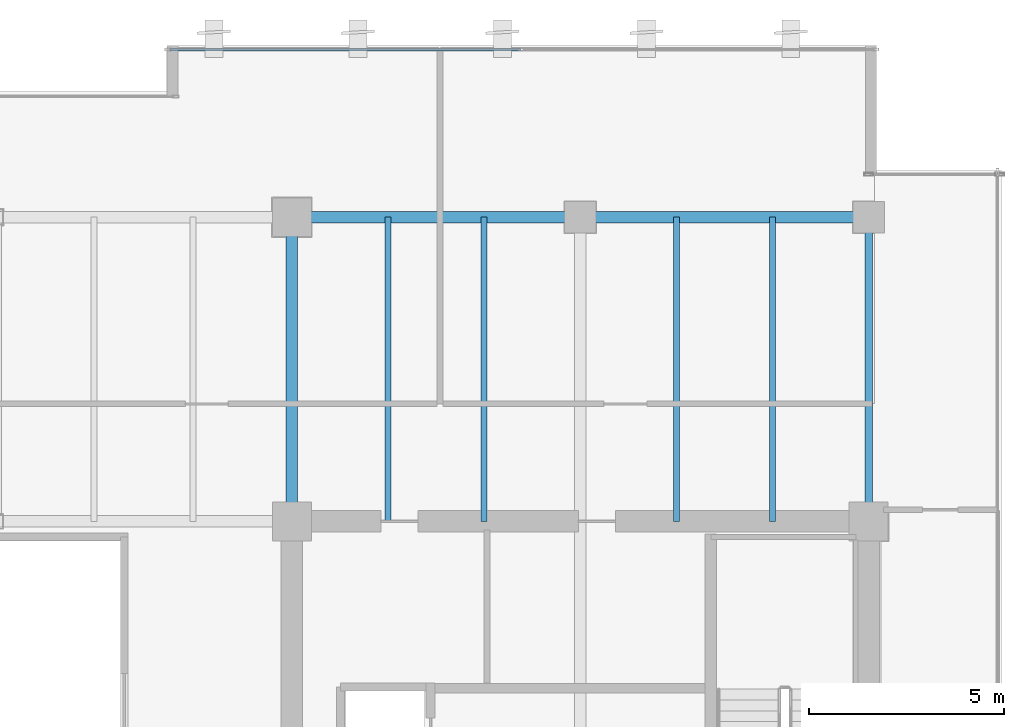
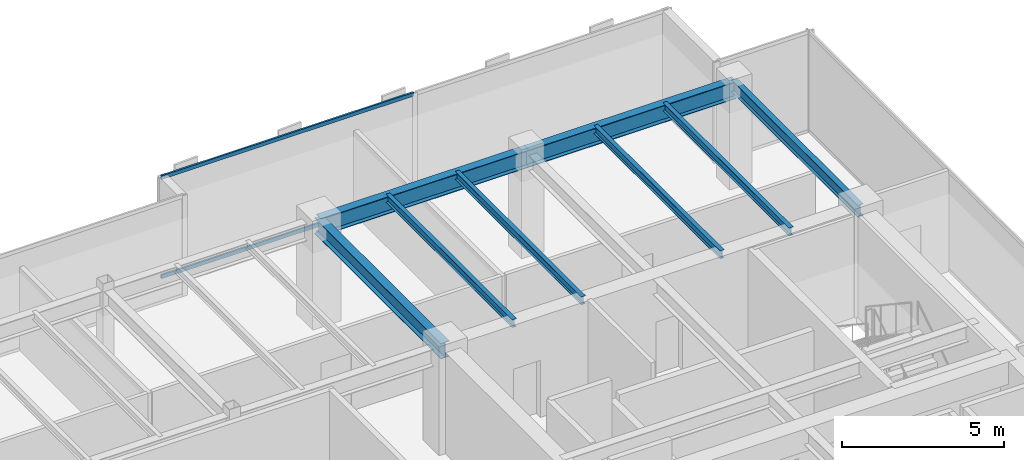
# One storey, part 20 of 35: 8 beams, 2 members, 1 element without a shape of its own.
"""IFC4 building model written with IfcOpenShell, lengths in metres."""

from ifc_helpers import new_model, si_unit, direction, frame, origin, origin_2d, place, context, subcontext, project, spatial, hollow_rectangle, i_section, extrude, source, transform, mapped, material, layer, layer_set, material_profile, profile_set, type_object, type_shapes, element, aggregate, save


model = new_model("IFC4")

# Units and contexts
model_context = context("Model", 3, precision=1e-05, world=origin(), true_north=direction((0.0, 1.0)))
body_context = subcontext(model_context, "Body", "Model", "MODEL_VIEW")
ifc_project = project(units=[si_unit("LENGTHUNIT", "METRE"), si_unit("AREAUNIT", "SQUARE_METRE"), si_unit("VOLUMEUNIT", "CUBIC_METRE"), si_unit("PLANEANGLEUNIT", "RADIAN"), si_unit("MASSUNIT", "GRAM", prefix="KILO")], contexts=[model_context])

# Site, building, storey
site_placement = place(None, origin())
site = spatial("IfcSite", under=ifc_project, at=site_placement, CompositionType="ELEMENT")
building_placement = place(site_placement, origin())
building = spatial("IfcBuilding", under=site, at=building_placement, Name="Haelvirn Gate Laboratories", CompositionType="ELEMENT")
storey_placement = place(building_placement, frame((0.0, 0.0, 201.39990234375)))
storey = spatial("IfcBuildingStorey", under=building, at=storey_placement, Name="L48", CompositionType="ELEMENT", Elevation=201.39990234375)

# Beams
ifc_material_1 = material(Name="Steel SM355", Category="steel")
ifc_material_profile_1 = material_profile(ifc_material_1, i_section(OverallWidth=0.14990234375, OverallDepth=0.300048828125, WebThickness=0.006591796875, FlangeThickness=0.009033203125, at=origin_2d()), Name="H-300x150x6.5x9")
ifc_profile_set_1 = profile_set([ifc_material_profile_1], Name="Steel SM355")
beam_type_1 = type_object("IfcBeamType", Name="BM-J-300", PredefinedType="JOIST", material=ifc_profile_set_1)
shared_shape_1 = source(origin(), body_context, "Body", "SweptSolid", [
    extrude(i_section(OverallWidth=0.14990234375, OverallDepth=0.300048828125, WebThickness=0.006591796875, FlangeThickness=0.009033203125, at=origin_2d()), origin(), (0.0, 0.0, 1.0), 7.800048828125),
])
type_shapes(beam_type_1, [shared_shape_1])
for number, where, z_axis, x_axis, name in (
    (1, (55.070068359375, 33.800048828125, 3.650146484375), (0.0, 1.0, 0.0), (-1.0, 0.0, 0.0), "L48 Composite Lab Joist North X55.07"),
    (2, (57.530029296875, 33.800048828125, 3.650146484375), (0.0, 1.0, 0.0), (-1.0, 0.0, 0.0), "L48 Composite Lab Joist North X57.53"),
    (3, (62.469970703125, 33.800048828125, 3.650146484375), (0.0, 1.0, 0.0), (-1.0, 0.0, 0.0), "L48 Composite Lab Joist North X62.47"),
    (4, (64.929931640625, 33.800048828125, 3.650146484375), (0.0, 1.0, 0.0), (-1.0, 0.0, 0.0), "L48 Composite Lab Joist North X64.93"),
):
    element("IfcBeam", number, at=place(storey_placement, frame(where, z_axis=z_axis, x_axis=x_axis)), inside=storey, type_object=beam_type_1, Name=name, PredefinedType="JOIST", context=body_context, shape_type="MappedRepresentation", body=[
        mapped(shared_shape_1, transform((0.0, 0.0, 0.0), scale=1.0)),
    ])
ifc_material_profile_2 = material_profile(ifc_material_1, i_section(OverallWidth=0.300048828125, OverallDepth=0.587890625, WebThickness=0.011962890625, FlangeThickness=0.02001953125, at=origin_2d()), Name="H-588x300x12x20")
ifc_profile_set_2 = profile_set([ifc_material_profile_2], Name="Steel SM355")
beam_type_2 = type_object("IfcBeamType", Name="BM-G-588", PredefinedType="BEAM", material=ifc_profile_set_2)
shared_shape_2 = source(origin(), body_context, "Body", "SweptSolid", [
    extrude(i_section(OverallWidth=0.300048828125, OverallDepth=0.587890625, WebThickness=0.011962890625, FlangeThickness=0.02001953125, at=origin_2d()), origin(), (0.0, 0.0, 1.0), 7.800048828125),
])
type_shapes(beam_type_2, [shared_shape_2])
beam_1_placement = place(storey_placement, frame((52.60009765625, 33.800048828125, 3.506103515625), z_axis=(0.0, 1.0, 0.0), x_axis=(-1.0, 0.0, 0.0)))
element("IfcBeam", 5, at=beam_1_placement, inside=storey, type_object=beam_type_2, Name="L48 Frame Girder X52.6 (33.8-41.6)", PredefinedType="BEAM", context=body_context, shape_type="MappedRepresentation", body=[
    mapped(shared_shape_2, transform((0.0, 0.0, 0.0), scale=1.0)),
])
ifc_material_profile_3 = material_profile(ifc_material_1, i_section(OverallWidth=0.300048828125, OverallDepth=0.64990234375, WebThickness=0.012939453125, FlangeThickness=0.02197265625, at=origin_2d()), Name="H-650x300x13x22")
ifc_profile_set_3 = profile_set([ifc_material_profile_3], Name="Steel SM355")
beam_type_3 = type_object("IfcBeamType", Name="BM-G-650", PredefinedType="BEAM", material=ifc_profile_set_3)
shared_shape_3 = source(origin(), body_context, "Body", "SweptSolid", [
    extrude(i_section(OverallWidth=0.300048828125, OverallDepth=0.64990234375, WebThickness=0.012939453125, FlangeThickness=0.02197265625, at=origin_2d()), origin(), (0.0, 0.0, 1.0), 7.39990234375),
])
type_shapes(beam_type_3, [shared_shape_3])
for number, where, z_axis, x_axis, name in (
    (6, (52.60009765625, 41.60009765625, 3.47509765625), (1.0, 0.0, 0.0), (0.0, 1.0, 0.0), "L48 Primary Girder Y41.6 (52.6-60.0)"),
    (7, (60.0, 41.60009765625, 3.47509765625), (1.0, 0.0, 0.0), (0.0, 1.0, 0.0), "L48 Primary Girder Y41.6 (60.0-67.4)"),
):
    element("IfcBeam", number, at=place(storey_placement, frame(where, z_axis=z_axis, x_axis=x_axis)), inside=storey, type_object=beam_type_3, Name=name, PredefinedType="BEAM", context=body_context, shape_type="MappedRepresentation", body=[
        mapped(shared_shape_3, transform((0.0, 0.0, 0.0), scale=1.0)),
    ])
ifc_material_profile_4 = material_profile(ifc_material_1, i_section(OverallWidth=0.199951171875, OverallDepth=0.449951171875, WebThickness=0.009033203125, FlangeThickness=0.013916015625, at=origin_2d()), Name="H-450x200x9x14")
ifc_profile_set_4 = profile_set([ifc_material_profile_4], Name="Steel SM355")
beam_type_4 = type_object("IfcBeamType", Name="BM-SP-450", PredefinedType="SPANDREL", material=ifc_profile_set_4)
shared_shape_4 = source(origin(), body_context, "Body", "SweptSolid", [
    extrude(i_section(OverallWidth=0.199951171875, OverallDepth=0.449951171875, WebThickness=0.009033203125, FlangeThickness=0.013916015625, at=origin_2d()), origin(), (0.0, 0.0, 1.0), 7.800048828125),
])
type_shapes(beam_type_4, [shared_shape_4])
beam_2_placement = place(storey_placement, frame((67.39990234375, 33.800048828125, 3.5751953125), z_axis=(0.0, 1.0, 0.0), x_axis=(-1.0, 0.0, 0.0)))
element("IfcBeam", 8, at=beam_2_placement, inside=storey, type_object=beam_type_4, Name="L48 Perimeter Spandrel X67.4 (33.8-41.6)", PredefinedType="SPANDREL", context=body_context, shape_type="MappedRepresentation", body=[
    mapped(shared_shape_4, transform((0.0, 0.0, 0.0), scale=1.0)),
])

# Curtain wall, members
ifc_material_2 = material(Name="Anodised bronze unitised aluminium & triple low-E glass", Category="aluminium")
ifc_layer = layer(ifc_material_2, 0.176025390625, Name="CW-SYS-4")
ifc_layer_set = layer_set([ifc_layer], Name="Anodised bronze unitised aluminium & triple low-E glass")
curtain_wall_type = type_object("IfcCurtainWallType", Name="CW-SYS-4", PredefinedType="NOTDEFINED", material=ifc_layer_set)
curtain_wall_placement = place(storey_placement, origin())
curtain_wall = element("IfcCurtainWall", 9, at=curtain_wall_placement, inside=storey, type_object=curtain_wall_type, Name="L48 Unitised Curtain Wall CW-L48-P0-E10-1", PredefinedType="NOTDEFINED")
ifc_material_3 = material(Name="Extruded aluminium 6063-T6 (anodised bronze)", Category="aluminium")
ifc_material_profile_5 = material_profile(ifc_material_3, hollow_rectangle(XDim=0.06494140625, YDim=0.139892578125, WallThickness=0.00390625, at=origin_2d()), Name="CWT-140x65x4")
ifc_profile_set_5 = profile_set([ifc_material_profile_5], Name="Extruded aluminium 6063-T6 (anodised bronze)")
member_type = type_object("IfcMemberType", Name="CWT-T140", PredefinedType="USERDEFINED", material=ifc_profile_set_5)
shared_shape_5 = source(origin(), body_context, "Body", "SweptSolid", [
    extrude(hollow_rectangle(XDim=0.06494140625, YDim=0.139892578125, WallThickness=0.00390625, at=origin_2d()), origin(), (0.0, 0.0, 1.0), 8.9951171875),
])
type_shapes(member_type, [shared_shape_5])
member_1_placement = place(storey_placement, frame((49.469970703125, 45.89990234375, 0.03271484375), z_axis=(1.0, 0.0, 0.0), x_axis=(0.0, 1.0, 0.0)))
member_1 = element("IfcMember", 10, at=member_1_placement, type_object=member_type, Name="CW4 transom 1.1", ObjectType="TRANSOM", PredefinedType="USERDEFINED", context=body_context, shape_type="MappedRepresentation", body=[
    mapped(shared_shape_5, transform((0.0, 0.0, 0.0), scale=1.0)),
])
member_2_placement = place(storey_placement, frame((49.469970703125, 45.89990234375, 3.767578125), z_axis=(1.0, 0.0, 0.0), x_axis=(0.0, 1.0, 0.0)))
member_2 = element("IfcMember", 11, at=member_2_placement, type_object=member_type, Name="CW4 transom 1.2", ObjectType="TRANSOM", PredefinedType="USERDEFINED", context=body_context, shape_type="MappedRepresentation", body=[
    mapped(shared_shape_5, transform((0.0, 0.0, 0.0), scale=1.0)),
])
aggregate(curtain_wall, [member_1, member_2])

save(model, "model.ifc")
